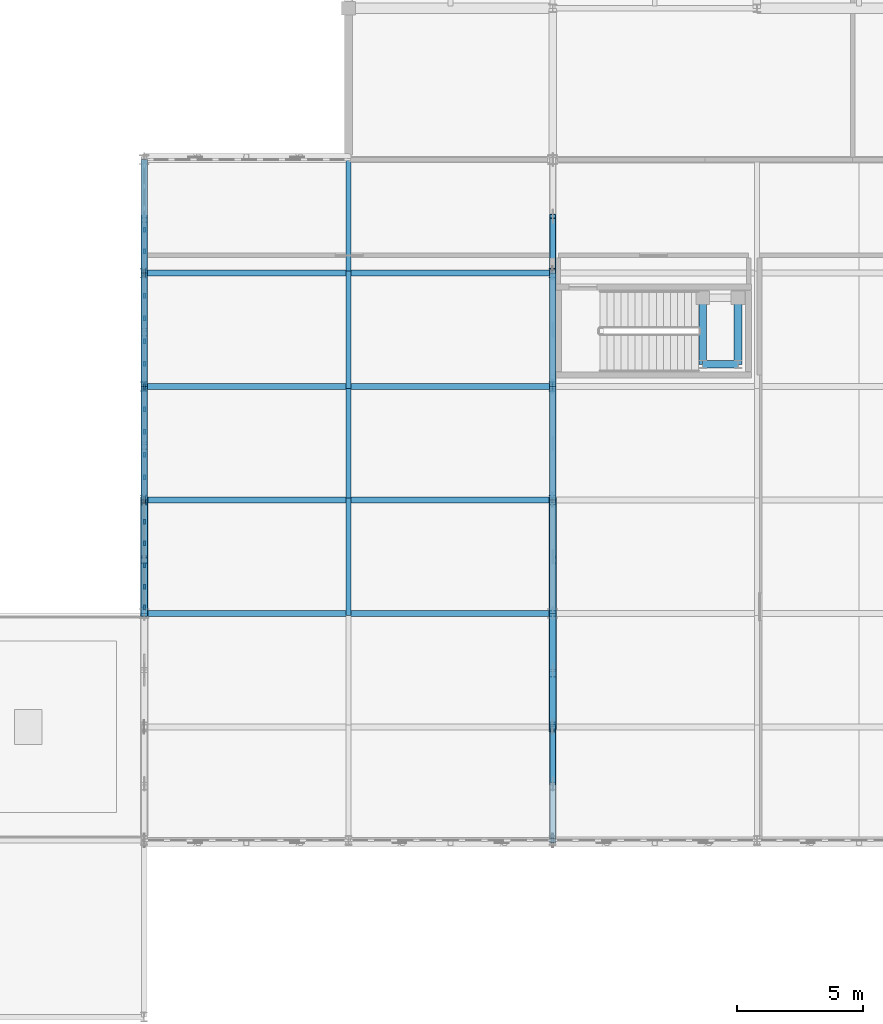
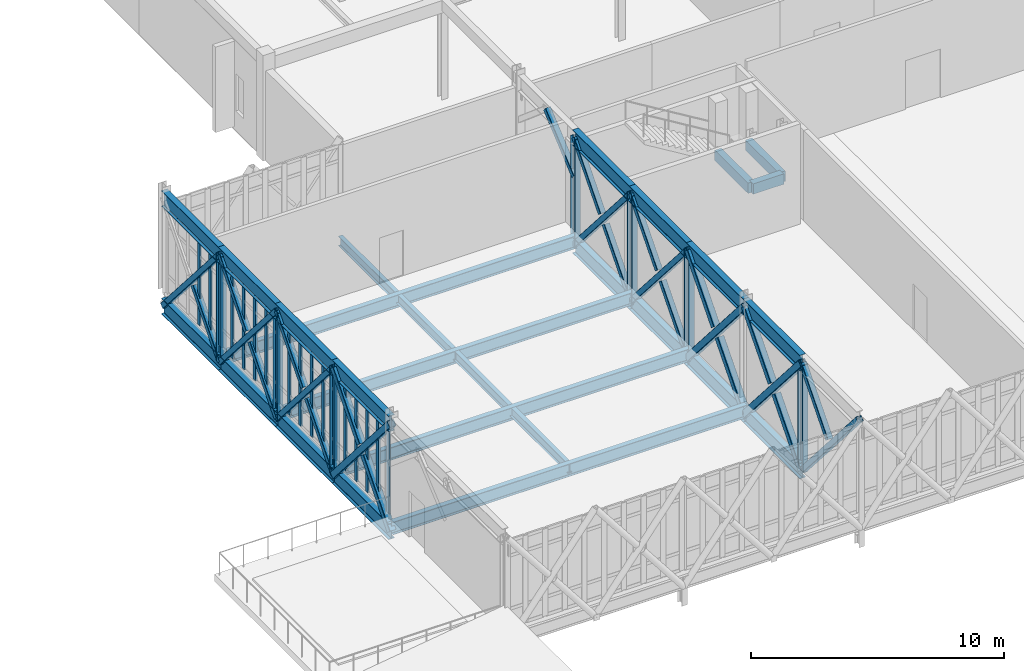
# One storey, part 16 of 107: 54 members, 27 beams, 4 elements without a shape of their own.
"""IFC4 building model written with IfcOpenShell, lengths in metres."""

from ifc_helpers import new_model, si_unit, direction, frame, origin, origin_2d, place, context, subcontext, project, spatial, rectangle, hollow_rectangle, i_section, extrude, material, material_profile, profile_set, type_object, element, aggregate, save


model = new_model("IFC4")

# Units and contexts
model_context = context("Model", 3, precision=1e-05, world=origin(), true_north=direction((0.0, 1.0)))
body_context = subcontext(model_context, "Body", "Model", "MODEL_VIEW")
ifc_project = project(units=[si_unit("LENGTHUNIT", "METRE"), si_unit("AREAUNIT", "SQUARE_METRE"), si_unit("VOLUMEUNIT", "CUBIC_METRE"), si_unit("PLANEANGLEUNIT", "RADIAN"), si_unit("MASSUNIT", "GRAM", prefix="KILO")], contexts=[model_context])

# Site, building, storey
site_placement = place(None, origin())
site = spatial("IfcSite", under=ifc_project, at=site_placement, CompositionType="ELEMENT")
building_placement = place(site_placement, origin())
building = spatial("IfcBuilding", under=site, at=building_placement, Name="Tarnveldt Square Police Headquarters", CompositionType="ELEMENT")
storey_placement = place(building_placement, frame((0.0, 0.0, 14.699951171875)))
storey = spatial("IfcBuildingStorey", under=building, at=storey_placement, Name="L03", CompositionType="ELEMENT", Elevation=14.699951171875)

# Beams
ifc_material_1 = material(Name="Steel 350W", Category="steel")
ifc_material_profile_1 = material_profile(ifc_material_1, i_section(OverallWidth=0.26708984375, OverallDepth=0.76611328125, WebThickness=0.014892578125, FlangeThickness=0.023681640625, FilletRadius=0.02197265625, at=origin_2d()), Name="W760x185")
ifc_profile_set_1 = profile_set([ifc_material_profile_1], Name="Steel 350W")
beam_type_1 = type_object("IfcBeamType", Name="BM-CT-BOT", PredefinedType="BEAM", material=ifc_profile_set_1)
for number, where, z_axis, x_axis, name in (
    (1, (8.10009765625, 34.0, -0.742919921875), (0.0, -1.0, 0.0), (1.0, 0.0, 0.0), "Cantilever Truss CT-1 Bottom Chord 1"),
    (2, (8.10009765625, 34.0, 4.45703125), (0.0, -1.0, 0.0), (1.0, 0.0, 0.0), "Cantilever Truss CT-1 Mid Chord 1"),
    (3, (8.10009765625, 29.5, -0.742919921875), (0.0, -1.0, 0.0), (1.0, 0.0, 0.0), "Cantilever Truss CT-1 Bottom Chord 2"),
    (4, (8.10009765625, 29.5, 4.45703125), (0.0, -1.0, 0.0), (1.0, 0.0, 0.0), "Cantilever Truss CT-1 Mid Chord 2"),
    (5, (8.10009765625, 25.0, -0.742919921875), (0.0, -1.0, 0.0), (1.0, 0.0, 0.0), "Cantilever Truss CT-1 Bottom Chord 3"),
    (6, (8.10009765625, 25.0, 4.45703125), (0.0, -1.0, 0.0), (1.0, 0.0, 0.0), "Cantilever Truss CT-1 Mid Chord 3"),
    (7, (8.10009765625, 20.5, -0.742919921875), (0.0, -1.0, 0.0), (1.0, 0.0, 0.0), "Cantilever Truss CT-1 Bottom Chord 4"),
    (8, (8.10009765625, 20.5, 4.45703125), (0.0, -1.0, 0.0), (1.0, 0.0, 0.0), "Cantilever Truss CT-1 Mid Chord 4"),
    (9, (24.300048828125, 29.5, -0.742919921875), (0.0, -1.0, 0.0), (1.0, 0.0, 0.0), "Cantilever Truss CT-2 Bottom Chord 2"),
    (10, (24.300048828125, 29.5, 4.45703125), (0.0, -1.0, 0.0), (1.0, 0.0, 0.0), "Cantilever Truss CT-2 Mid Chord 2"),
    (11, (24.300048828125, 25.0, -0.742919921875), (0.0, -1.0, 0.0), (1.0, 0.0, 0.0), "Cantilever Truss CT-2 Bottom Chord 3"),
    (12, (24.300048828125, 25.0, 4.45703125), (0.0, -1.0, 0.0), (1.0, 0.0, 0.0), "Cantilever Truss CT-2 Mid Chord 3"),
    (13, (24.300048828125, 20.5, -0.742919921875), (0.0, -1.0, 0.0), (1.0, 0.0, 0.0), "Cantilever Truss CT-2 Bottom Chord 4"),
    (14, (24.300048828125, 20.5, 4.45703125), (0.0, -1.0, 0.0), (1.0, 0.0, 0.0), "Cantilever Truss CT-2 Mid Chord 4"),
    (15, (24.300048828125, 16.0, -0.742919921875), (0.0, -1.0, 0.0), (1.0, 0.0, 0.0), "Cantilever Truss CT-2 Bottom Chord 5"),
    (16, (24.300048828125, 16.0, 4.45703125), (0.0, -1.0, 0.0), (1.0, 0.0, 0.0), "Cantilever Truss CT-2 Mid Chord 5"),
):
    element("IfcBeam", number, at=place(storey_placement, frame(where, z_axis=z_axis, x_axis=x_axis)), inside=storey, type_object=beam_type_1, Name=name, PredefinedType="BEAM", context=body_context, shape_type="SweptSolid", body=[
        extrude(i_section(OverallWidth=0.26708984375, OverallDepth=0.76611328125, WebThickness=0.014892578125, FlangeThickness=0.023681640625, FilletRadius=0.02197265625, at=origin_2d()), origin(), (0.0, 0.0, 1.0), 4.5),
    ])
ifc_material_2 = material(Name="Concrete 40 MPa", Category="concrete")
ifc_material_profile_2 = material_profile(ifc_material_2, rectangle(XDim=0.300048828125, YDim=0.5, at=origin_2d()), Name="RC-B300x500")
ifc_profile_set_2 = profile_set([ifc_material_profile_2], Name="Concrete 40 MPa")
beam_type_2 = type_object("IfcBeamType", Name="BM-RC300x500", PredefinedType="BEAM", material=ifc_profile_set_2)
for number, where, z_axis, x_axis, name in (
    (17, (30.25, 25.8798828125, 2.1201171875), (0.0, 1.0, 0.0), (-1.0, 0.0, 0.0), "ST6 L03 Half-Landing West Support Beam"),
    (18, (31.64990234375, 25.8798828125, 2.1201171875), (0.0, 1.0, 0.0), (-1.0, 0.0, 0.0), "ST6 L03 Half-Landing East Support Beam"),
):
    element("IfcBeam", number, at=place(storey_placement, frame(where, z_axis=z_axis, x_axis=x_axis)), inside=storey, type_object=beam_type_2, Name=name, PredefinedType="BEAM", context=body_context, shape_type="SweptSolid", body=[
        extrude(rectangle(XDim=0.300048828125, YDim=0.5, at=origin_2d()), origin(), (0.0, 0.0, 1.0), 2.64013671875),
    ])
beam_placement = place(storey_placement, frame((30.25, 25.8798828125, 2.1201171875), z_axis=(1.0, 0.0, 0.0), x_axis=(0.0, 1.0, 0.0)))
element("IfcBeam", 19, at=beam_placement, inside=storey, type_object=beam_type_2, Name="ST6 L03 Half-Landing South Support Beam", PredefinedType="BEAM", context=body_context, shape_type="SweptSolid", body=[
    extrude(rectangle(XDim=0.300048828125, YDim=0.5, at=origin_2d()), origin(), (0.0, 0.0, 1.0), 1.39990234375),
])
ifc_material_profile_3 = material_profile(ifc_material_1, i_section(OverallWidth=0.19189453125, OverallDepth=0.462890625, WebThickness=0.010498046875, FlangeThickness=0.017578125, FilletRadius=0.01806640625, at=origin_2d()), Name="W460x89")
ifc_profile_set_3 = profile_set([ifc_material_profile_3], Name="Steel 350W")
beam_type_3 = type_object("IfcBeamType", Name="BM-W460x89", PredefinedType="BEAM", material=ifc_profile_set_3)
for number, where, z_axis, x_axis, name in (
    (20, (16.199951171875, 34.080078125, -0.491455078125), (0.0, -1.0, 0.0), (1.0, 0.0, 0.0), "Lantern L03 Secondary Beam 16.0"),
    (21, (16.199951171875, 29.580078125, -0.491455078125), (0.0, -1.0, 0.0), (1.0, 0.0, 0.0), "Lantern L03 Secondary Beam 16.1"),
    (22, (16.199951171875, 25.080078125, -0.491455078125), (0.0, -1.0, 0.0), (1.0, 0.0, 0.0), "Lantern L03 Secondary Beam 16.2"),
    (23, (16.199951171875, 20.580078125, -0.491455078125), (0.0, -1.0, 0.0), (1.0, 0.0, 0.0), "Lantern L03 Secondary Beam 16.3"),
):
    element("IfcBeam", number, at=place(storey_placement, frame(where, z_axis=z_axis, x_axis=x_axis)), inside=storey, type_object=beam_type_3, Name=name, PredefinedType="BEAM", context=body_context, shape_type="SweptSolid", body=[
        extrude(i_section(OverallWidth=0.19189453125, OverallDepth=0.462890625, WebThickness=0.010498046875, FlangeThickness=0.017578125, FilletRadius=0.01806640625, at=origin_2d()), origin(), (0.0, 0.0, 1.0), 4.66015625),
    ])
ifc_material_profile_4 = material_profile(ifc_material_1, i_section(OverallWidth=0.22900390625, OverallDepth=0.612060546875, WebThickness=0.011962890625, FlangeThickness=0.01953125, FilletRadius=0.01904296875, at=origin_2d()), Name="W610x125")
ifc_profile_set_4 = profile_set([ifc_material_profile_4], Name="Steel 350W")
beam_type_4 = type_object("IfcBeamType", Name="BM-W610x125", PredefinedType="BEAM", material=ifc_profile_set_4)
for number, where, z_axis, x_axis, name in (
    (24, (8.10009765625, 29.5, -0.56591796875), (1.0, 0.0, 0.0), (0.0, 1.0, 0.0), "Command Lantern L03 Transverse Girder 1.1"),
    (25, (8.10009765625, 25.0, -0.56591796875), (1.0, 0.0, 0.0), (0.0, 1.0, 0.0), "Command Lantern L03 Transverse Girder 1.2"),
    (26, (8.10009765625, 20.5, -0.56591796875), (1.0, 0.0, 0.0), (0.0, 1.0, 0.0), "Command Lantern L03 Transverse Girder 1.3"),
    (27, (8.10009765625, 16.0, -0.56591796875), (1.0, 0.0, 0.0), (0.0, 1.0, 0.0), "Command Lantern L03 Transverse Girder 1.4"),
):
    element("IfcBeam", number, at=place(storey_placement, frame(where, z_axis=z_axis, x_axis=x_axis)), inside=storey, type_object=beam_type_4, Name=name, PredefinedType="BEAM", context=body_context, shape_type="SweptSolid", body=[
        extrude(i_section(OverallWidth=0.22900390625, OverallDepth=0.612060546875, WebThickness=0.011962890625, FlangeThickness=0.01953125, FilletRadius=0.01904296875, at=origin_2d()), origin(), (0.0, 0.0, 1.0), 16.199951171875),
    ])

# Curtain wall, members
ifc_material_3 = material(Name="Triple-glazed low-e laminated vision glass", Category="glass")
curtain_wall_type_1 = type_object("IfcCurtainWallType", Name="CW-LT-430x407", PredefinedType="USERDEFINED", material=ifc_material_3)
curtain_wall_1_placement = place(storey_placement, origin())
curtain_wall_1 = element("IfcCurtainWall", 28, at=curtain_wall_1_placement, inside=storey, type_object=curtain_wall_type_1, Name="L03 Curtain Wall CW-L03-033", ObjectType="GLAZED CURTAIN WALL", PredefinedType="USERDEFINED")
ifc_material_4 = material(Name="Thermally broken anodised aluminium 6063-T6", Category="aluminium")
ifc_material_profile_5 = material_profile(ifc_material_4, rectangle(XDim=0.074951171875, YDim=0.199951171875, at=origin_2d()), Name="CW-M75x200")
ifc_profile_set_5 = profile_set([ifc_material_profile_5], Name="Thermally broken anodised aluminium 6063-T6")
member_type_1 = type_object("IfcMemberType", Name="CWM-75x200", PredefinedType="MULLION", material=ifc_profile_set_5)
member_1_placement = place(storey_placement, frame((8.10009765625, 16.239501953125, 0.0), z_axis=(0.0, 0.0, 1.0), x_axis=(-1.0, 0.0, 0.0)))
member_1 = element("IfcMember", 29, at=member_1_placement, type_object=member_type_1, Name="CW-LT15 mullion 1", PredefinedType="MULLION", context=body_context, shape_type="SweptSolid", body=[
    extrude(rectangle(XDim=0.074951171875, YDim=0.199951171875, at=origin_2d()), origin(), (0.0, 0.0, 1.0), 4.066162109375),
])
member_2_placement = place(storey_placement, frame((8.10009765625, 17.0615234375, 0.0), z_axis=(0.0, 0.0, 1.0), x_axis=(-1.0, 0.0, 0.0)))
member_2 = element("IfcMember", 30, at=member_2_placement, type_object=member_type_1, Name="CW-LT15 mullion 2", PredefinedType="MULLION", context=body_context, shape_type="SweptSolid", body=[
    extrude(rectangle(XDim=0.074951171875, YDim=0.199951171875, at=origin_2d()), origin(), (0.0, 0.0, 1.0), 4.066162109375),
])
member_3_placement = place(storey_placement, frame((8.10009765625, 17.921142578125, 0.0), z_axis=(0.0, 0.0, 1.0), x_axis=(-1.0, 0.0, 0.0)))
member_3 = element("IfcMember", 31, at=member_3_placement, type_object=member_type_1, Name="CW-LT15 mullion 3", PredefinedType="MULLION", context=body_context, shape_type="SweptSolid", body=[
    extrude(rectangle(XDim=0.074951171875, YDim=0.199951171875, at=origin_2d()), origin(), (0.0, 0.0, 1.0), 4.066162109375),
])
member_4_placement = place(storey_placement, frame((8.10009765625, 18.78076171875, 0.0), z_axis=(0.0, 0.0, 1.0), x_axis=(-1.0, 0.0, 0.0)))
member_4 = element("IfcMember", 32, at=member_4_placement, type_object=member_type_1, Name="CW-LT15 mullion 4", PredefinedType="MULLION", context=body_context, shape_type="SweptSolid", body=[
    extrude(rectangle(XDim=0.074951171875, YDim=0.199951171875, at=origin_2d()), origin(), (0.0, 0.0, 1.0), 4.066162109375),
])
member_5_placement = place(storey_placement, frame((8.10009765625, 19.640380859375, 0.0), z_axis=(0.0, 0.0, 1.0), x_axis=(-1.0, 0.0, 0.0)))
member_5 = element("IfcMember", 33, at=member_5_placement, type_object=member_type_1, Name="CW-LT15 mullion 5", PredefinedType="MULLION", context=body_context, shape_type="SweptSolid", body=[
    extrude(rectangle(XDim=0.074951171875, YDim=0.199951171875, at=origin_2d()), origin(), (0.0, 0.0, 1.0), 4.066162109375),
])
member_6_placement = place(storey_placement, frame((8.10009765625, 20.46240234375, 0.0), z_axis=(0.0, 0.0, 1.0), x_axis=(-1.0, 0.0, 0.0)))
member_6 = element("IfcMember", 34, at=member_6_placement, type_object=member_type_1, Name="CW-LT15 mullion 6", PredefinedType="MULLION", context=body_context, shape_type="SweptSolid", body=[
    extrude(rectangle(XDim=0.074951171875, YDim=0.199951171875, at=origin_2d()), origin(), (0.0, 0.0, 1.0), 4.066162109375),
])
aggregate(curtain_wall_1, [member_1, member_2, member_3, member_4, member_5, member_6])

curtain_wall_type_2 = type_object("IfcCurtainWallType", Name="CW-LT-450x407", PredefinedType="USERDEFINED", material=ifc_material_3)
curtain_wall_2_placement = place(storey_placement, origin())
curtain_wall_2 = element("IfcCurtainWall", 35, at=curtain_wall_2_placement, inside=storey, type_object=curtain_wall_type_2, Name="L03 Curtain Wall CW-L03-034", ObjectType="GLAZED CURTAIN WALL", PredefinedType="USERDEFINED")
member_7_placement = place(storey_placement, frame((8.10009765625, 20.53759765625, 0.0), z_axis=(0.0, 0.0, 1.0), x_axis=(-1.0, 0.0, 0.0)))
member_7 = element("IfcMember", 36, at=member_7_placement, type_object=member_type_1, Name="CW-LT16 mullion 1", PredefinedType="MULLION", context=body_context, shape_type="SweptSolid", body=[
    extrude(rectangle(XDim=0.074951171875, YDim=0.199951171875, at=origin_2d()), origin(), (0.0, 0.0, 1.0), 4.066162109375),
])
member_8_placement = place(storey_placement, frame((8.10009765625, 21.39990234375, 0.0), z_axis=(0.0, 0.0, 1.0), x_axis=(-1.0, 0.0, 0.0)))
member_8 = element("IfcMember", 37, at=member_8_placement, type_object=member_type_1, Name="CW-LT16 mullion 2", PredefinedType="MULLION", context=body_context, shape_type="SweptSolid", body=[
    extrude(rectangle(XDim=0.074951171875, YDim=0.199951171875, at=origin_2d()), origin(), (0.0, 0.0, 1.0), 4.066162109375),
])
member_9_placement = place(storey_placement, frame((8.10009765625, 22.300048828125, 0.0), z_axis=(0.0, 0.0, 1.0), x_axis=(-1.0, 0.0, 0.0)))
member_9 = element("IfcMember", 38, at=member_9_placement, type_object=member_type_1, Name="CW-LT16 mullion 3", PredefinedType="MULLION", context=body_context, shape_type="SweptSolid", body=[
    extrude(rectangle(XDim=0.074951171875, YDim=0.199951171875, at=origin_2d()), origin(), (0.0, 0.0, 1.0), 4.066162109375),
])
member_10_placement = place(storey_placement, frame((8.10009765625, 23.199951171875, 0.0), z_axis=(0.0, 0.0, 1.0), x_axis=(-1.0, 0.0, 0.0)))
member_10 = element("IfcMember", 39, at=member_10_placement, type_object=member_type_1, Name="CW-LT16 mullion 4", PredefinedType="MULLION", context=body_context, shape_type="SweptSolid", body=[
    extrude(rectangle(XDim=0.074951171875, YDim=0.199951171875, at=origin_2d()), origin(), (0.0, 0.0, 1.0), 4.066162109375),
])
member_11_placement = place(storey_placement, frame((8.10009765625, 24.10009765625, 0.0), z_axis=(0.0, 0.0, 1.0), x_axis=(-1.0, 0.0, 0.0)))
member_11 = element("IfcMember", 40, at=member_11_placement, type_object=member_type_1, Name="CW-LT16 mullion 5", PredefinedType="MULLION", context=body_context, shape_type="SweptSolid", body=[
    extrude(rectangle(XDim=0.074951171875, YDim=0.199951171875, at=origin_2d()), origin(), (0.0, 0.0, 1.0), 4.066162109375),
])
member_12_placement = place(storey_placement, frame((8.10009765625, 24.96240234375, 0.0), z_axis=(0.0, 0.0, 1.0), x_axis=(-1.0, 0.0, 0.0)))
member_12 = element("IfcMember", 41, at=member_12_placement, type_object=member_type_1, Name="CW-LT16 mullion 6", PredefinedType="MULLION", context=body_context, shape_type="SweptSolid", body=[
    extrude(rectangle(XDim=0.074951171875, YDim=0.199951171875, at=origin_2d()), origin(), (0.0, 0.0, 1.0), 4.066162109375),
])
aggregate(curtain_wall_2, [member_7, member_8, member_9, member_10, member_11, member_12])

curtain_wall_3_placement = place(storey_placement, origin())
curtain_wall_3 = element("IfcCurtainWall", 42, at=curtain_wall_3_placement, inside=storey, type_object=curtain_wall_type_2, Name="L03 Curtain Wall CW-L03-035", ObjectType="GLAZED CURTAIN WALL", PredefinedType="USERDEFINED")
member_13_placement = place(storey_placement, frame((8.10009765625, 25.03759765625, 0.0), z_axis=(0.0, 0.0, 1.0), x_axis=(-1.0, 0.0, 0.0)))
member_13 = element("IfcMember", 43, at=member_13_placement, type_object=member_type_1, Name="CW-LT16 mullion 1", PredefinedType="MULLION", context=body_context, shape_type="SweptSolid", body=[
    extrude(rectangle(XDim=0.074951171875, YDim=0.199951171875, at=origin_2d()), origin(), (0.0, 0.0, 1.0), 4.066162109375),
])
member_14_placement = place(storey_placement, frame((8.10009765625, 25.89990234375, 0.0), z_axis=(0.0, 0.0, 1.0), x_axis=(-1.0, 0.0, 0.0)))
member_14 = element("IfcMember", 44, at=member_14_placement, type_object=member_type_1, Name="CW-LT16 mullion 2", PredefinedType="MULLION", context=body_context, shape_type="SweptSolid", body=[
    extrude(rectangle(XDim=0.074951171875, YDim=0.199951171875, at=origin_2d()), origin(), (0.0, 0.0, 1.0), 4.066162109375),
])
member_15_placement = place(storey_placement, frame((8.10009765625, 26.800048828125, 0.0), z_axis=(0.0, 0.0, 1.0), x_axis=(-1.0, 0.0, 0.0)))
member_15 = element("IfcMember", 45, at=member_15_placement, type_object=member_type_1, Name="CW-LT16 mullion 3", PredefinedType="MULLION", context=body_context, shape_type="SweptSolid", body=[
    extrude(rectangle(XDim=0.074951171875, YDim=0.199951171875, at=origin_2d()), origin(), (0.0, 0.0, 1.0), 4.066162109375),
])
member_16_placement = place(storey_placement, frame((8.10009765625, 27.699951171875, 0.0), z_axis=(0.0, 0.0, 1.0), x_axis=(-1.0, 0.0, 0.0)))
member_16 = element("IfcMember", 46, at=member_16_placement, type_object=member_type_1, Name="CW-LT16 mullion 4", PredefinedType="MULLION", context=body_context, shape_type="SweptSolid", body=[
    extrude(rectangle(XDim=0.074951171875, YDim=0.199951171875, at=origin_2d()), origin(), (0.0, 0.0, 1.0), 4.066162109375),
])
member_17_placement = place(storey_placement, frame((8.10009765625, 28.60009765625, 0.0), z_axis=(0.0, 0.0, 1.0), x_axis=(-1.0, 0.0, 0.0)))
member_17 = element("IfcMember", 47, at=member_17_placement, type_object=member_type_1, Name="CW-LT16 mullion 5", PredefinedType="MULLION", context=body_context, shape_type="SweptSolid", body=[
    extrude(rectangle(XDim=0.074951171875, YDim=0.199951171875, at=origin_2d()), origin(), (0.0, 0.0, 1.0), 4.066162109375),
])
member_18_placement = place(storey_placement, frame((8.10009765625, 29.46240234375, 0.0), z_axis=(0.0, 0.0, 1.0), x_axis=(-1.0, 0.0, 0.0)))
member_18 = element("IfcMember", 48, at=member_18_placement, type_object=member_type_1, Name="CW-LT16 mullion 6", PredefinedType="MULLION", context=body_context, shape_type="SweptSolid", body=[
    extrude(rectangle(XDim=0.074951171875, YDim=0.199951171875, at=origin_2d()), origin(), (0.0, 0.0, 1.0), 4.066162109375),
])
aggregate(curtain_wall_3, [member_13, member_14, member_15, member_16, member_17, member_18])

curtain_wall_4_placement = place(storey_placement, origin())
curtain_wall_4 = element("IfcCurtainWall", 49, at=curtain_wall_4_placement, inside=storey, type_object=curtain_wall_type_1, Name="L03 Curtain Wall CW-L03-036", ObjectType="GLAZED CURTAIN WALL", PredefinedType="USERDEFINED")
member_19_placement = place(storey_placement, frame((8.10009765625, 29.53759765625, 0.0), z_axis=(0.0, 0.0, 1.0), x_axis=(-1.0, 0.0, 0.0)))
member_19 = element("IfcMember", 50, at=member_19_placement, type_object=member_type_1, Name="CW-LT15 mullion 1", PredefinedType="MULLION", context=body_context, shape_type="SweptSolid", body=[
    extrude(rectangle(XDim=0.074951171875, YDim=0.199951171875, at=origin_2d()), origin(), (0.0, 0.0, 1.0), 4.066162109375),
])
member_20_placement = place(storey_placement, frame((8.10009765625, 30.359619140625, 0.0), z_axis=(0.0, 0.0, 1.0), x_axis=(-1.0, 0.0, 0.0)))
member_20 = element("IfcMember", 51, at=member_20_placement, type_object=member_type_1, Name="CW-LT15 mullion 2", PredefinedType="MULLION", context=body_context, shape_type="SweptSolid", body=[
    extrude(rectangle(XDim=0.074951171875, YDim=0.199951171875, at=origin_2d()), origin(), (0.0, 0.0, 1.0), 4.066162109375),
])
member_21_placement = place(storey_placement, frame((8.10009765625, 31.21923828125, 0.0), z_axis=(0.0, 0.0, 1.0), x_axis=(-1.0, 0.0, 0.0)))
member_21 = element("IfcMember", 52, at=member_21_placement, type_object=member_type_1, Name="CW-LT15 mullion 3", PredefinedType="MULLION", context=body_context, shape_type="SweptSolid", body=[
    extrude(rectangle(XDim=0.074951171875, YDim=0.199951171875, at=origin_2d()), origin(), (0.0, 0.0, 1.0), 4.066162109375),
])
aggregate(curtain_wall_4, [member_19, member_20, member_21])

# Members
ifc_material_profile_6 = material_profile(ifc_material_1, i_section(OverallWidth=0.257080078125, OverallDepth=0.363037109375, WebThickness=0.012939453125, FlangeThickness=0.021728515625, FilletRadius=0.01611328125, at=origin_2d()), Name="W360x122")
ifc_profile_set_6 = profile_set([ifc_material_profile_6], Name="Steel 350W")
member_type_2 = type_object("IfcMemberType", Name="MEM-CT-POST", PredefinedType="STRUT", material=ifc_profile_set_6)
for number, where, z_axis, x_axis, name in (
    (53, (8.10009765625, 29.5, -0.742919921875), (0.0, 0.0, 1.0), (1.0, 0.0, 0.0), "Cantilever Truss CT-1 L03 Post 2"),
    (54, (8.10009765625, 25.0, -0.742919921875), (0.0, 0.0, 1.0), (1.0, 0.0, 0.0), "Cantilever Truss CT-1 L03 Post 3"),
    (55, (8.10009765625, 20.5, -0.742919921875), (0.0, 0.0, 1.0), (1.0, 0.0, 0.0), "Cantilever Truss CT-1 L03 Post 4"),
    (56, (24.300048828125, 29.5, -0.742919921875), (0.0, 0.0, 1.0), (1.0, 0.0, 0.0), "Cantilever Truss CT-2 L03 Post 2"),
    (57, (24.300048828125, 25.0, -0.742919921875), (0.0, 0.0, 1.0), (1.0, 0.0, 0.0), "Cantilever Truss CT-2 L03 Post 3"),
    (58, (24.300048828125, 20.5, -0.742919921875), (0.0, 0.0, 1.0), (1.0, 0.0, 0.0), "Cantilever Truss CT-2 L03 Post 4"),
    (59, (24.300048828125, 11.5, -0.742919921875), (0.0, 0.0, 1.0), (1.0, 0.0, 0.0), "Cantilever Truss CT-2 L03 Post 6"),
):
    element("IfcMember", number, at=place(storey_placement, frame(where, z_axis=z_axis, x_axis=x_axis)), inside=storey, type_object=member_type_2, Name=name, PredefinedType="STRUT", context=body_context, shape_type="SweptSolid", body=[
        extrude(i_section(OverallWidth=0.257080078125, OverallDepth=0.363037109375, WebThickness=0.012939453125, FlangeThickness=0.021728515625, FilletRadius=0.01611328125, at=origin_2d()), origin(), (0.0, 0.0, 1.0), 5.199951171875),
    ])
ifc_material_profile_7 = material_profile(ifc_material_1, hollow_rectangle(XDim=0.3046875, YDim=0.3046875, WallThickness=0.015869140625, InnerFilletRadius=0.015869140625, OuterFilletRadius=0.03173828125, at=origin_2d()), Name="HSS305x305x16")
ifc_profile_set_7 = profile_set([ifc_material_profile_7], Name="Steel 350W")
member_type_3 = type_object("IfcMemberType", Name="MEM-CT-WEB1", PredefinedType="BRACE", material=ifc_profile_set_7)
member_22_placement = place(storey_placement, frame((8.10009765625, 20.5, -0.742919921875), z_axis=(0.0, -0.654380257886, 0.756165641966), x_axis=(1.0, 0.0, 0.0)))
element("IfcMember", 60, at=member_22_placement, inside=storey, type_object=member_type_3, Name="Cantilever Truss CT-1 L03 Web A4", PredefinedType="BRACE", context=body_context, shape_type="SweptSolid", body=[
    extrude(hollow_rectangle(XDim=0.3046875, YDim=0.3046875, WallThickness=0.015869140625, InnerFilletRadius=0.015869140625, OuterFilletRadius=0.03173828125, at=origin_2d()), origin(), (0.0, 0.0, 1.0), 6.876708984375),
])
for number, where, z_axis, x_axis, name in (
    (61, (8.10009765625, 16.0, -0.742919921875), (0.0, 0.654370071154, 0.756174457369), (-1.0, 0.0, 0.0), "Cantilever Truss CT-1 L03 Web B4 Lower"),
    (62, (8.10009765625, 18.39404296875, 2.0234375), (0.0, 0.654370071154, 0.756174457369), (-1.0, 0.0, 0.0), "Cantilever Truss CT-1 L03 Web B4 Upper"),
):
    element("IfcMember", number, at=place(storey_placement, frame(where, z_axis=z_axis, x_axis=x_axis)), inside=storey, type_object=member_type_3, Name=name, PredefinedType="BRACE", context=body_context, shape_type="SweptSolid", body=[
        extrude(hollow_rectangle(XDim=0.3046875, YDim=0.3046875, WallThickness=0.015869140625, InnerFilletRadius=0.015869140625, OuterFilletRadius=0.03173828125, at=origin_2d()), origin(), (0.0, 0.0, 1.0), 3.21826171875),
    ])
member_23_placement = place(storey_placement, frame((24.300048828125, 20.5, -0.742919921875), z_axis=(0.0, -0.654380257886, 0.756165641966), x_axis=(1.0, 0.0, 0.0)))
element("IfcMember", 63, at=member_23_placement, inside=storey, type_object=member_type_3, Name="Cantilever Truss CT-2 L03 Web A4", PredefinedType="BRACE", context=body_context, shape_type="SweptSolid", body=[
    extrude(hollow_rectangle(XDim=0.3046875, YDim=0.3046875, WallThickness=0.015869140625, InnerFilletRadius=0.015869140625, OuterFilletRadius=0.03173828125, at=origin_2d()), origin(), (0.0, 0.0, 1.0), 6.876708984375),
])
for number, where, z_axis, x_axis, name in (
    (64, (24.300048828125, 16.0, -0.742919921875), (0.0, 0.654370071154, 0.756174457369), (-1.0, 0.0, 0.0), "Cantilever Truss CT-2 L03 Web B4 Lower"),
    (65, (24.300048828125, 18.39404296875, 2.0234375), (0.0, 0.654370071154, 0.756174457369), (-1.0, 0.0, 0.0), "Cantilever Truss CT-2 L03 Web B4 Upper"),
):
    element("IfcMember", number, at=place(storey_placement, frame(where, z_axis=z_axis, x_axis=x_axis)), inside=storey, type_object=member_type_3, Name=name, PredefinedType="BRACE", context=body_context, shape_type="SweptSolid", body=[
        extrude(hollow_rectangle(XDim=0.3046875, YDim=0.3046875, WallThickness=0.015869140625, InnerFilletRadius=0.015869140625, OuterFilletRadius=0.03173828125, at=origin_2d()), origin(), (0.0, 0.0, 1.0), 3.21826171875),
    ])
member_24_placement = place(storey_placement, frame((24.300048828125, 16.0, -0.742919921875), z_axis=(0.0, -0.654380257886, 0.756165641966), x_axis=(1.0, 0.0, 0.0)))
element("IfcMember", 66, at=member_24_placement, inside=storey, type_object=member_type_3, Name="Cantilever Truss CT-2 L03 Web A5", PredefinedType="BRACE", context=body_context, shape_type="SweptSolid", body=[
    extrude(hollow_rectangle(XDim=0.3046875, YDim=0.3046875, WallThickness=0.015869140625, InnerFilletRadius=0.015869140625, OuterFilletRadius=0.03173828125, at=origin_2d()), origin(), (0.0, 0.0, 1.0), 6.876708984375),
])
for number, where, z_axis, x_axis, name in (
    (67, (24.300048828125, 11.5, -0.742919921875), (0.0, 0.654370071154, 0.756174457369), (-1.0, 0.0, 0.0), "Cantilever Truss CT-2 L03 Web B5 Lower"),
    (68, (24.300048828125, 13.89404296875, 2.0234375), (0.0, 0.654370071154, 0.756174457369), (-1.0, 0.0, 0.0), "Cantilever Truss CT-2 L03 Web B5 Upper"),
):
    element("IfcMember", number, at=place(storey_placement, frame(where, z_axis=z_axis, x_axis=x_axis)), inside=storey, type_object=member_type_3, Name=name, PredefinedType="BRACE", context=body_context, shape_type="SweptSolid", body=[
        extrude(hollow_rectangle(XDim=0.3046875, YDim=0.3046875, WallThickness=0.015869140625, InnerFilletRadius=0.015869140625, OuterFilletRadius=0.03173828125, at=origin_2d()), origin(), (0.0, 0.0, 1.0), 3.21826171875),
    ])
ifc_material_profile_8 = material_profile(ifc_material_1, hollow_rectangle(XDim=0.25390625, YDim=0.25390625, WallThickness=0.0126953125, InnerFilletRadius=0.0126953125, OuterFilletRadius=0.025390625, at=origin_2d()), Name="HSS254x254x13")
ifc_profile_set_8 = profile_set([ifc_material_profile_8], Name="Steel 350W")
member_type_4 = type_object("IfcMemberType", Name="MEM-CT-WEB2", PredefinedType="BRACE", material=ifc_profile_set_8)
member_25_placement = place(storey_placement, frame((8.10009765625, 34.0, -0.742919921875), z_axis=(0.0, -0.654380257886, 0.756165641966), x_axis=(1.0, 0.0, 0.0)))
element("IfcMember", 69, at=member_25_placement, inside=storey, type_object=member_type_4, Name="Cantilever Truss CT-1 L03 Web A1", PredefinedType="BRACE", context=body_context, shape_type="SweptSolid", body=[
    extrude(hollow_rectangle(XDim=0.25390625, YDim=0.25390625, WallThickness=0.0126953125, InnerFilletRadius=0.0126953125, OuterFilletRadius=0.025390625, at=origin_2d()), origin(), (0.0, 0.0, 1.0), 6.876708984375),
])
member_26_placement = place(storey_placement, frame((8.10009765625, 29.5, -0.742919921875), z_axis=(0.0, 0.654370071154, 0.756174457369), x_axis=(-1.0, 0.0, 0.0)))
element("IfcMember", 70, at=member_26_placement, inside=storey, type_object=member_type_4, Name="Cantilever Truss CT-1 L03 Web B1 Lower", PredefinedType="BRACE", context=body_context, shape_type="SweptSolid", body=[
    extrude(hollow_rectangle(XDim=0.25390625, YDim=0.25390625, WallThickness=0.0126953125, InnerFilletRadius=0.0126953125, OuterFilletRadius=0.025390625, at=origin_2d()), origin(), (0.0, 0.0, 1.0), 3.21826171875),
])
member_27_placement = place(storey_placement, frame((8.10009765625, 29.5, -0.742919921875), z_axis=(0.0, -0.654380257886, 0.756165641966), x_axis=(1.0, 0.0, 0.0)))
element("IfcMember", 71, at=member_27_placement, inside=storey, type_object=member_type_4, Name="Cantilever Truss CT-1 L03 Web A2", PredefinedType="BRACE", context=body_context, shape_type="SweptSolid", body=[
    extrude(hollow_rectangle(XDim=0.25390625, YDim=0.25390625, WallThickness=0.0126953125, InnerFilletRadius=0.0126953125, OuterFilletRadius=0.025390625, at=origin_2d()), origin(), (0.0, 0.0, 1.0), 6.876708984375),
])
for number, where, z_axis, x_axis, name in (
    (72, (8.10009765625, 25.0, -0.742919921875), (0.0, 0.654370071154, 0.756174457369), (-1.0, 0.0, 0.0), "Cantilever Truss CT-1 L03 Web B2 Lower"),
    (73, (8.10009765625, 27.39404296875, 2.0234375), (0.0, 0.654370071154, 0.756174457369), (-1.0, 0.0, 0.0), "Cantilever Truss CT-1 L03 Web B2 Upper"),
):
    element("IfcMember", number, at=place(storey_placement, frame(where, z_axis=z_axis, x_axis=x_axis)), inside=storey, type_object=member_type_4, Name=name, PredefinedType="BRACE", context=body_context, shape_type="SweptSolid", body=[
        extrude(hollow_rectangle(XDim=0.25390625, YDim=0.25390625, WallThickness=0.0126953125, InnerFilletRadius=0.0126953125, OuterFilletRadius=0.025390625, at=origin_2d()), origin(), (0.0, 0.0, 1.0), 3.21826171875),
    ])
member_28_placement = place(storey_placement, frame((8.10009765625, 25.0, -0.742919921875), z_axis=(0.0, -0.654380257886, 0.756165641966), x_axis=(1.0, 0.0, 0.0)))
element("IfcMember", 74, at=member_28_placement, inside=storey, type_object=member_type_4, Name="Cantilever Truss CT-1 L03 Web A3", PredefinedType="BRACE", context=body_context, shape_type="SweptSolid", body=[
    extrude(hollow_rectangle(XDim=0.25390625, YDim=0.25390625, WallThickness=0.0126953125, InnerFilletRadius=0.0126953125, OuterFilletRadius=0.025390625, at=origin_2d()), origin(), (0.0, 0.0, 1.0), 6.876708984375),
])
for number, where, z_axis, x_axis, name in (
    (75, (8.10009765625, 20.5, -0.742919921875), (0.0, 0.654370071154, 0.756174457369), (-1.0, 0.0, 0.0), "Cantilever Truss CT-1 L03 Web B3 Lower"),
    (76, (8.10009765625, 22.89404296875, 2.0234375), (0.0, 0.654370071154, 0.756174457369), (-1.0, 0.0, 0.0), "Cantilever Truss CT-1 L03 Web B3 Upper"),
):
    element("IfcMember", number, at=place(storey_placement, frame(where, z_axis=z_axis, x_axis=x_axis)), inside=storey, type_object=member_type_4, Name=name, PredefinedType="BRACE", context=body_context, shape_type="SweptSolid", body=[
        extrude(hollow_rectangle(XDim=0.25390625, YDim=0.25390625, WallThickness=0.0126953125, InnerFilletRadius=0.0126953125, OuterFilletRadius=0.025390625, at=origin_2d()), origin(), (0.0, 0.0, 1.0), 3.21826171875),
    ])
member_29_placement = place(storey_placement, frame((24.300048828125, 29.5, 2.550048828125), z_axis=(0.0, 0.762861692036, 0.646561705349), x_axis=(-1.0, 0.0, 0.0)))
element("IfcMember", 77, at=member_29_placement, inside=storey, type_object=member_type_4, Name="Cantilever Truss CT-2 L03 Portal Brace B1", PredefinedType="BRACE", context=body_context, shape_type="SweptSolid", body=[
    extrude(hollow_rectangle(XDim=0.25390625, YDim=0.25390625, WallThickness=0.0126953125, InnerFilletRadius=0.0126953125, OuterFilletRadius=0.025390625, at=origin_2d()), origin(), (0.0, 0.0, 1.0), 2.949462890625),
])
member_30_placement = place(storey_placement, frame((24.300048828125, 29.5, -0.742919921875), z_axis=(0.0, -0.654380257886, 0.756165641966), x_axis=(1.0, 0.0, 0.0)))
element("IfcMember", 78, at=member_30_placement, inside=storey, type_object=member_type_4, Name="Cantilever Truss CT-2 L03 Web A2", PredefinedType="BRACE", context=body_context, shape_type="SweptSolid", body=[
    extrude(hollow_rectangle(XDim=0.25390625, YDim=0.25390625, WallThickness=0.0126953125, InnerFilletRadius=0.0126953125, OuterFilletRadius=0.025390625, at=origin_2d()), origin(), (0.0, 0.0, 1.0), 6.876708984375),
])
for number, where, z_axis, x_axis, name in (
    (79, (24.300048828125, 25.0, -0.742919921875), (0.0, 0.654370071154, 0.756174457369), (-1.0, 0.0, 0.0), "Cantilever Truss CT-2 L03 Web B2 Lower"),
    (80, (24.300048828125, 27.39404296875, 2.0234375), (0.0, 0.654370071154, 0.756174457369), (-1.0, 0.0, 0.0), "Cantilever Truss CT-2 L03 Web B2 Upper"),
):
    element("IfcMember", number, at=place(storey_placement, frame(where, z_axis=z_axis, x_axis=x_axis)), inside=storey, type_object=member_type_4, Name=name, PredefinedType="BRACE", context=body_context, shape_type="SweptSolid", body=[
        extrude(hollow_rectangle(XDim=0.25390625, YDim=0.25390625, WallThickness=0.0126953125, InnerFilletRadius=0.0126953125, OuterFilletRadius=0.025390625, at=origin_2d()), origin(), (0.0, 0.0, 1.0), 3.21826171875),
    ])
member_31_placement = place(storey_placement, frame((24.300048828125, 25.0, -0.742919921875), z_axis=(0.0, -0.654380257886, 0.756165641966), x_axis=(1.0, 0.0, 0.0)))
element("IfcMember", 81, at=member_31_placement, inside=storey, type_object=member_type_4, Name="Cantilever Truss CT-2 L03 Web A3", PredefinedType="BRACE", context=body_context, shape_type="SweptSolid", body=[
    extrude(hollow_rectangle(XDim=0.25390625, YDim=0.25390625, WallThickness=0.0126953125, InnerFilletRadius=0.0126953125, OuterFilletRadius=0.025390625, at=origin_2d()), origin(), (0.0, 0.0, 1.0), 6.876708984375),
])
for number, where, z_axis, x_axis, name in (
    (82, (24.300048828125, 20.5, -0.742919921875), (0.0, 0.654370071154, 0.756174457369), (-1.0, 0.0, 0.0), "Cantilever Truss CT-2 L03 Web B3 Lower"),
    (83, (24.300048828125, 22.89404296875, 2.0234375), (0.0, 0.654370071154, 0.756174457369), (-1.0, 0.0, 0.0), "Cantilever Truss CT-2 L03 Web B3 Upper"),
):
    element("IfcMember", number, at=place(storey_placement, frame(where, z_axis=z_axis, x_axis=x_axis)), inside=storey, type_object=member_type_4, Name=name, PredefinedType="BRACE", context=body_context, shape_type="SweptSolid", body=[
        extrude(hollow_rectangle(XDim=0.25390625, YDim=0.25390625, WallThickness=0.0126953125, InnerFilletRadius=0.0126953125, OuterFilletRadius=0.025390625, at=origin_2d()), origin(), (0.0, 0.0, 1.0), 3.21826171875),
    ])
member_32_placement = place(storey_placement, frame((24.300048828125, 11.5, -0.742919921875), z_axis=(0.0, -0.654380257886, 0.756165641966), x_axis=(1.0, 0.0, 0.0)))
element("IfcMember", 84, at=member_32_placement, inside=storey, type_object=member_type_4, Name="Cantilever Truss CT-2 L03 Web A6", PredefinedType="BRACE", context=body_context, shape_type="SweptSolid", body=[
    extrude(hollow_rectangle(XDim=0.25390625, YDim=0.25390625, WallThickness=0.0126953125, InnerFilletRadius=0.0126953125, OuterFilletRadius=0.025390625, at=origin_2d()), origin(), (0.0, 0.0, 1.0), 6.876708984375),
])
member_33_placement = place(storey_placement, frame((24.300048828125, 9.39404296875, 2.0234375), z_axis=(0.0, 0.654370071154, 0.756174457369), x_axis=(-1.0, 0.0, 0.0)))
element("IfcMember", 85, at=member_33_placement, inside=storey, type_object=member_type_4, Name="Cantilever Truss CT-2 L03 Web B6 Upper", PredefinedType="BRACE", context=body_context, shape_type="SweptSolid", body=[
    extrude(hollow_rectangle(XDim=0.25390625, YDim=0.25390625, WallThickness=0.0126953125, InnerFilletRadius=0.0126953125, OuterFilletRadius=0.025390625, at=origin_2d()), origin(), (0.0, 0.0, 1.0), 3.21826171875),
])

save(model, "model.ifc")
